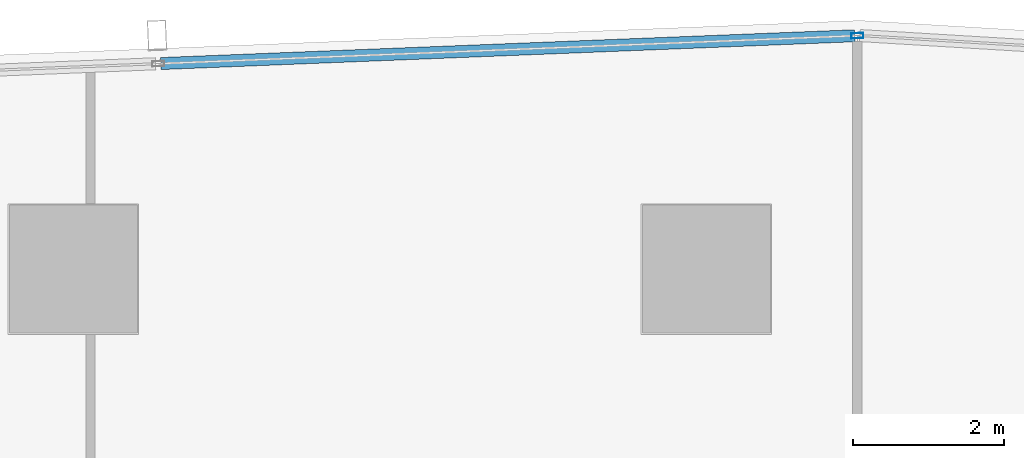
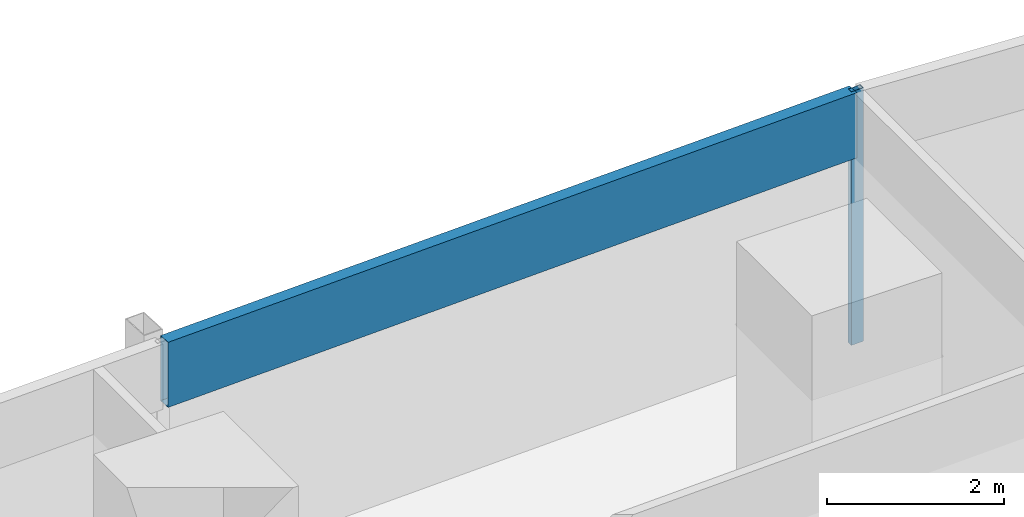
# One storey, part 21 of 40: 2 members, 1 element without a shape of its own.
"""IFC4 building model written with IfcOpenShell, lengths in metres."""

from ifc_helpers import new_model, si_unit, direction, frame, origin, origin_2d, place, context, subcontext, project, spatial, hollow_rectangle, extrude, material, material_profile, profile_set, type_object, element, aggregate, save


model = new_model("IFC4")

# Units and contexts
model_context = context("Model", 3, precision=1e-05, world=origin(), true_north=direction((0.0, 1.0)))
body_context = subcontext(model_context, "Body", "Model", "MODEL_VIEW")
ifc_project = project(units=[si_unit("LENGTHUNIT", "METRE"), si_unit("AREAUNIT", "SQUARE_METRE"), si_unit("VOLUMEUNIT", "CUBIC_METRE"), si_unit("PLANEANGLEUNIT", "RADIAN"), si_unit("MASSUNIT", "GRAM", prefix="KILO")], contexts=[model_context])

# Site, building, storey
site_placement = place(None, origin())
site = spatial("IfcSite", under=ifc_project, at=site_placement, CompositionType="ELEMENT")
building_placement = place(site_placement, origin())
building = spatial("IfcBuilding", under=site, at=building_placement, Name="Rekha Terrace Tower", CompositionType="ELEMENT")
storey_placement = place(building_placement, frame((0.0, 0.0, 140.300048828125)))
storey = spatial("IfcBuildingStorey", under=building, at=storey_placement, Name="L35", CompositionType="ELEMENT", Elevation=140.300048828125)

# Curtain wall, members
ifc_material_1 = material(Name="Aluminium framing", Category="aluminium")
curtain_wall_type = type_object("IfcCurtainWallType", Name="CW3 north unitised glazing", PredefinedType="USERDEFINED", material=ifc_material_1)
curtain_wall_placement = place(storey_placement, origin())
curtain_wall = element("IfcCurtainWall", 1, at=curtain_wall_placement, inside=storey, type_object=curtain_wall_type, Name="CW3 unitised curtain wall", ObjectType="UNITISED CURTAIN WALL", PredefinedType="USERDEFINED")
ifc_material_2 = material(Name="Aluminium mullion section", Category="aluminium")
ifc_material_profile_1 = material_profile(ifc_material_2, hollow_rectangle(XDim=0.070068359375, YDim=0.159912109375, WallThickness=0.00390625, at=origin_2d()), Name="AL RHS 70x160")
ifc_profile_set_1 = profile_set([ifc_material_profile_1], Name="Aluminium mullion section")
member_type_1 = type_object("IfcMemberType", Name="CW3 mullion RHS 70 x 160", PredefinedType="MULLION", material=ifc_profile_set_1)
member_1_placement = place(storey_placement, frame((44.0029296875, 61.8984375, 0.0), z_axis=(0.0, 0.0, 1.0), x_axis=(0.040031987119, -0.999198398721, 0.0)))
member_1 = element("IfcMember", 2, at=member_1_placement, type_object=member_type_1, Name="CW3 mullion 1", PredefinedType="MULLION", context=body_context, shape_type="SweptSolid", body=[
    extrude(hollow_rectangle(XDim=0.070068359375, YDim=0.159912109375, WallThickness=0.00390625, at=origin_2d()), origin(), (0.0, 0.0, 1.0), 3.5),
])
ifc_material_3 = material(Name="Insulated aluminium spandrel box", Category="aluminium")
ifc_material_profile_2 = material_profile(ifc_material_3, hollow_rectangle(XDim=0.159912109375, YDim=0.89990234375, WallThickness=0.0029296875, at=origin_2d()), Name="AL SPANDREL BOX 160x900")
ifc_profile_set_2 = profile_set([ifc_material_profile_2], Name="Insulated aluminium spandrel box")
member_type_2 = type_object("IfcMemberType", Name="CW3 spandrel transom 160 x 900", PredefinedType="USERDEFINED", material=ifc_profile_set_2)
member_2_placement = place(storey_placement, frame((43.968017578125, 61.89697265625, 3.050048828125), z_axis=(-0.999198290018, -0.04003470026, 0.0), x_axis=(0.04003470026, -0.999198290018, 0.0)))
member_2 = element("IfcMember", 3, at=member_2_placement, type_object=member_type_2, Name="CW3 spandrel transom 1", ObjectType="TRANSOM", PredefinedType="USERDEFINED", context=body_context, shape_type="SweptSolid", body=[
    extrude(hollow_rectangle(XDim=0.159912109375, YDim=0.89990234375, WallThickness=0.0029296875, at=origin_2d()), origin(), (0.0, 0.0, 1.0), 9.21435546875),
])
aggregate(curtain_wall, [member_1, member_2])

save(model, "model.ifc")
